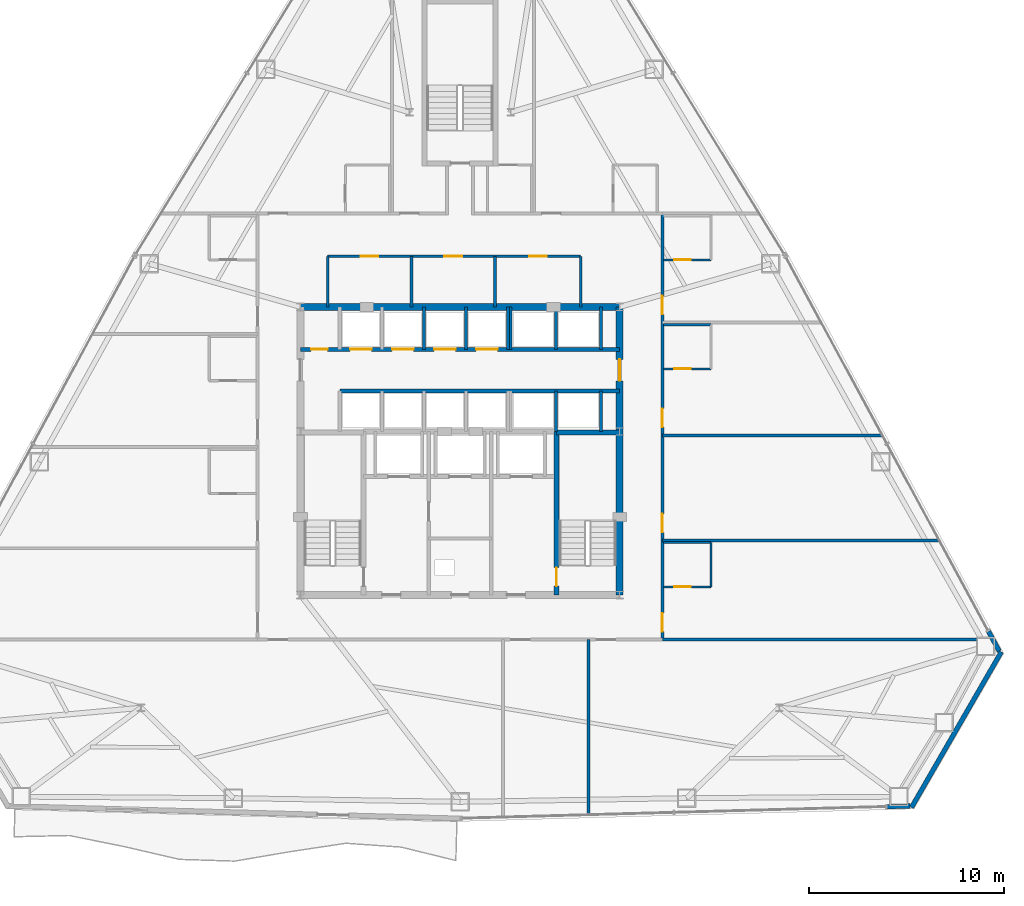
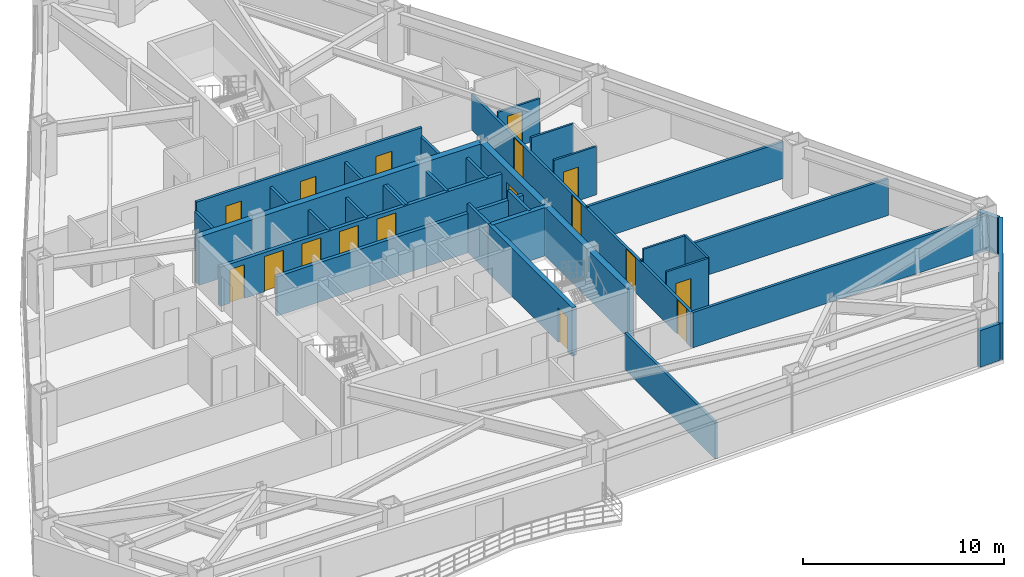
# One storey, part 10 of 13: 33 walls, 17 doors, 17 openings.
"""IFC4 building model written with IfcOpenShell, lengths in metres."""

from ifc_helpers import new_model, si_unit, direction, frame, frame_2d, origin, place, context, subcontext, project, spatial, rectangle, extrude, material, layer, layer_set, type_object, element, fill, save


model = new_model("IFC4")

# Units and contexts
model_context = context("Model", 3, precision=1e-05, world=origin(), true_north=direction((0.0, 1.0)))
body_context = subcontext(model_context, "Body", "Model", "MODEL_VIEW")
ifc_project = project(units=[si_unit("LENGTHUNIT", "METRE"), si_unit("AREAUNIT", "SQUARE_METRE"), si_unit("VOLUMEUNIT", "CUBIC_METRE"), si_unit("PLANEANGLEUNIT", "RADIAN"), si_unit("MASSUNIT", "GRAM", prefix="KILO")], contexts=[model_context])

# Site, building, storey
site_placement = place(None, origin())
site = spatial("IfcSite", under=ifc_project, at=site_placement, CompositionType="ELEMENT")
building_placement = place(site_placement, origin())
building = spatial("IfcBuilding", under=site, at=building_placement, Name="Varakhsha Concourse Tower", CompositionType="ELEMENT")
storey_placement = place(building_placement, frame((0.0, 0.0, 108.60009765625)))
storey = spatial("IfcBuildingStorey", under=building, at=storey_placement, Name="L31", CompositionType="ELEMENT", Elevation=108.60009765625)

# Wall
ifc_material_1 = material(Name="Concrete fc 65 MPa", Category="concrete")
ifc_layer_1 = layer(ifc_material_1, 0.35009765625, Name="WL-CORE-350")
ifc_layer_set_1 = layer_set([ifc_layer_1], Name="Concrete fc 65 MPa")
wall_type_1 = type_object("IfcWallType", Name="WL-CORE-350", PredefinedType="SHEAR", material=ifc_layer_set_1)
wall_1_placement = place(storey_placement, frame((31.800048828125, 31.199951171875, 0.0), z_axis=(0.0, 0.0, 1.0), x_axis=(1.0, 0.0, 0.0)))
element("IfcWall", 1, at=wall_1_placement, inside=storey, type_object=wall_type_1, Name="L31 Wall CWALL-N-L31", PredefinedType="SHEAR", context=body_context, shape_type="SweptSolid", body=[
    extrude(rectangle(XDim=16.39990234375, YDim=0.35009765625, at=frame_2d((8.199951171875, 0.0))), origin(), (0.0, 0.0, 1.0), 2.93994140625),
])

# Wall, opening, door
wall_2_placement = place(storey_placement, frame((48.199951171875, 16.39990234375, 0.0), z_axis=(0.0, 0.0, 1.0), x_axis=(0.0, 1.0, 0.0)))
wall_2 = element("IfcWall", 2, at=wall_2_placement, inside=storey, type_object=wall_type_1, Name="L31 Wall CWALL-E-L31", PredefinedType="SHEAR", context=body_context, shape_type="SweptSolid", body=[
    extrude(rectangle(XDim=14.800048828125, YDim=0.35009765625, at=frame_2d((7.39990234375, 0.0))), origin(), (0.0, 0.0, 1.0), 2.93994140625),
])
opening_1_placement = place(wall_2_placement, frame((11.0, 0.0, 0.0)))
opening_1 = element("IfcOpeningElement", 3, at=opening_1_placement, cuts=wall_2, Name="Opening DL-01", PredefinedType="OPENING", context=body_context, shape_type="SweptSolid", body=[
    extrude(rectangle(XDim=1.10009765625, YDim=2.14990234375, at=frame_2d((0.550048828125, 1.074951171875))), frame((0.0, 0.18505859375, 0.0), z_axis=(0.0, -1.0, 0.0), x_axis=(1.0, 0.0, 0.0)), (0.0, 0.0, 1.0), 0.3701171875),
])
ifc_material_2 = material(Name="Anodised Bronze Architectural Aluminium AA 6063-T6", Category="aluminium")
door_type_1 = type_object("IfcDoorType", Name="DR-LOB-1100", OperationType="NOTDEFINED", PredefinedType="DOOR", material=ifc_material_2)
door_1_placement = place(opening_1_placement, origin())
door_1 = element("IfcDoor", 4, at=door_1_placement, inside=storey, type_object=door_type_1, Name="L31 Lift Lobby East Concourse Door", OperationType="SINGLE_SWING_RIGHT", OverallHeight=2.14990234375, OverallWidth=1.10009765625, PredefinedType="DOOR", context=body_context, shape_type="SweptSolid", body=[
    extrude(rectangle(XDim=1.10009765625, YDim=2.14990234375, at=frame_2d((0.550048828125, 1.074951171875))), frame((0.0, 0.02490234375, 0.0), z_axis=(0.0, -1.0, 0.0), x_axis=(1.0, 0.0, 0.0)), (0.0, 0.0, 1.0), 0.050048828125),
])
fill(opening_1, door_1)

# Walls
ifc_material_3 = material(Name="Concrete fc 45 MPa", Category="concrete")
ifc_layer_2 = layer(ifc_material_3, 0.239990234375, Name="WL-EXT-CRN-240")
ifc_layer_set_2 = layer_set([ifc_layer_2], Name="Concrete fc 45 MPa")
wall_type_2 = type_object("IfcWallType", Name="WL-EXT-CRN-240", PredefinedType="SHEAR", material=ifc_layer_set_2)
wall_3_placement = place(storey_placement, frame((61.94775390625, 5.521728515625, 0.0), z_axis=(0.0, 0.0, 1.0), x_axis=(0.99961555346, 0.027726256158, 0.0)))
element("IfcWall", 5, at=wall_3_placement, inside=storey, type_object=wall_type_2, Name="L31 Wind-Corner Shoulder Wall F6", PredefinedType="SHEAR", context=body_context, shape_type="SweptSolid", body=[
    extrude(rectangle(XDim=1.162353515625, YDim=0.239990234375, at=frame_2d((0.5810546875, 0.0))), origin(), (0.0, 0.0, 1.0), 2.222900390625),
])
wall_4_placement = place(storey_placement, frame((67.809814453125, 13.47216796875, 0.0), z_axis=(0.0, 0.0, 1.0), x_axis=(-0.500017094579, -0.866015534, 0.0)))
element("IfcWall", 6, at=wall_4_placement, inside=storey, type_object=wall_type_2, Name="L31 Chamfer Wind-Corner Insulated Wall F7", PredefinedType="SHEAR", context=body_context, shape_type="SweptSolid", body=[
    extrude(rectangle(XDim=9.228759765625, YDim=0.239990234375, at=frame_2d((4.6142578125, 0.0))), origin(), (0.0, 0.0, 1.0), 2.222900390625),
])
wall_5_placement = place(storey_placement, frame((67.702880859375, 13.509521484375, 0.0), z_axis=(0.0, 0.0, 1.0), x_axis=(-0.475877177097, 0.879511746549, 0.0)))
element("IfcWall", 7, at=wall_5_placement, inside=storey, type_object=wall_type_2, Name="L31 Wind-Corner Shoulder Wall F8", PredefinedType="SHEAR", context=body_context, shape_type="SweptSolid", body=[
    extrude(rectangle(XDim=1.16259765625, YDim=0.239990234375, at=frame_2d((0.581298828125, 0.0))), origin(), (0.0, 0.0, 1.0), 2.222900390625),
])
ifc_material_4 = material(Name="Acoustic Gypsum Board Partition Assembly", Category="gypsum")
ifc_layer_3 = layer(ifc_material_4, 0.1201171875, Name="WL-PART-120")
ifc_layer_set_3 = layer_set([ifc_layer_3], Name="Acoustic Gypsum Board Partition Assembly")
wall_type_3 = type_object("IfcWallType", Name="WL-PART-120", PredefinedType="PARTITIONING", material=ifc_layer_set_3)
wall_6_placement = place(storey_placement, frame((52.889892578125, 16.81005859375, 0.0), z_axis=(0.0, 0.0, 1.0), x_axis=(0.0, 1.0, 0.0)))
element("IfcWall", 8, at=wall_6_placement, inside=storey, type_object=wall_type_3, Name="L31 Wall ENSW-E-L31-H08", PredefinedType="PARTITIONING", context=body_context, shape_type="SweptSolid", body=[
    extrude(rectangle(XDim=2.280029296875, YDim=0.1201171875, at=frame_2d((1.14013671875, 0.0))), origin(), (0.0, 0.0, 1.0), 2.93994140625),
])

# Wall, opening, door
wall_7_placement = place(storey_placement, frame((50.4599609375, 16.81005859375, 0.0), z_axis=(0.0, 0.0, 1.0), x_axis=(1.0, 0.0, 0.0)))
wall_7 = element("IfcWall", 9, at=wall_7_placement, inside=storey, type_object=wall_type_3, Name="L31 Wall ENSW-S-L31-H08", PredefinedType="PARTITIONING", context=body_context, shape_type="SweptSolid", body=[
    extrude(rectangle(XDim=2.429931640625, YDim=0.1201171875, at=frame_2d((1.21484375, 0.0))), origin(), (0.0, 0.0, 1.0), 2.93994140625),
])
opening_2_placement = place(wall_7_placement, frame((0.550048828125, 0.0, 0.0)))
opening_2 = element("IfcOpeningElement", 10, at=opening_2_placement, cuts=wall_7, Name="Opening DI-01", PredefinedType="OPENING", context=body_context, shape_type="SweptSolid", body=[
    extrude(rectangle(XDim=0.85009765625, YDim=2.050048828125, at=frame_2d((0.425048828125, 1.02490234375))), frame((0.0, 0.070068359375, 0.0), z_axis=(0.0, -1.0, 0.0), x_axis=(1.0, 0.0, 0.0)), (0.0, 0.0, 1.0), 0.14013671875),
])
ifc_material_5 = material(Name="Architectural Walnut Acoustic Timber Door", Category="wood")
door_type_2 = type_object("IfcDoorType", Name="DR-INT-850", OperationType="NOTDEFINED", PredefinedType="DOOR", material=ifc_material_5)
door_2_placement = place(opening_2_placement, origin())
door_2 = element("IfcDoor", 11, at=door_2_placement, inside=storey, type_object=door_type_2, Name="L31 En-suite Bathroom Door L31-H08", OperationType="SINGLE_SWING_RIGHT", OverallHeight=2.050048828125, OverallWidth=0.85009765625, PredefinedType="DOOR", context=body_context, shape_type="SweptSolid", body=[
    extrude(rectangle(XDim=0.85009765625, YDim=2.050048828125, at=frame_2d((0.425048828125, 1.02490234375))), frame((0.0, 0.02490234375, 0.0), z_axis=(0.0, -1.0, 0.0), x_axis=(1.0, 0.0, 0.0)), (0.0, 0.0, 1.0), 0.050048828125),
])
fill(opening_2, door_2)

# Wall
wall_8_placement = place(storey_placement, frame((50.4599609375, 19.090087890625, 0.0), z_axis=(0.0, 0.0, 1.0), x_axis=(1.0, 0.0, 0.0)))
element("IfcWall", 12, at=wall_8_placement, inside=storey, type_object=wall_type_3, Name="L31 Wall ENSW-N-L31-H08", PredefinedType="PARTITIONING", context=body_context, shape_type="SweptSolid", body=[
    extrude(rectangle(XDim=2.429931640625, YDim=0.1201171875, at=frame_2d((1.21484375, 0.0))), origin(), (0.0, 0.0, 1.0), 2.93994140625),
])

# Wall, opening, door
wall_9_placement = place(storey_placement, frame((50.4599609375, 28.010009765625, 0.0), z_axis=(0.0, 0.0, 1.0), x_axis=(1.0, 0.0, 0.0)))
wall_9 = element("IfcWall", 13, at=wall_9_placement, inside=storey, type_object=wall_type_3, Name="L31 Wall ENSW-S-L31-H10", PredefinedType="PARTITIONING", context=body_context, shape_type="SweptSolid", body=[
    extrude(rectangle(XDim=2.429931640625, YDim=0.1201171875, at=frame_2d((1.21484375, 0.0))), origin(), (0.0, 0.0, 1.0), 2.93994140625),
])
opening_3_placement = place(wall_9_placement, frame((0.550048828125, 0.0, 0.0)))
opening_3 = element("IfcOpeningElement", 14, at=opening_3_placement, cuts=wall_9, Name="Opening DI-01", PredefinedType="OPENING", context=body_context, shape_type="SweptSolid", body=[
    extrude(rectangle(XDim=0.85009765625, YDim=2.050048828125, at=frame_2d((0.425048828125, 1.02490234375))), frame((0.0, 0.070068359375, 0.0), z_axis=(0.0, -1.0, 0.0), x_axis=(1.0, 0.0, 0.0)), (0.0, 0.0, 1.0), 0.14013671875),
])
door_3_placement = place(opening_3_placement, origin())
door_3 = element("IfcDoor", 15, at=door_3_placement, inside=storey, type_object=door_type_2, Name="L31 En-suite Bathroom Door L31-H10", OperationType="SINGLE_SWING_RIGHT", OverallHeight=2.050048828125, OverallWidth=0.85009765625, PredefinedType="DOOR", context=body_context, shape_type="SweptSolid", body=[
    extrude(rectangle(XDim=0.85009765625, YDim=2.050048828125, at=frame_2d((0.425048828125, 1.02490234375))), frame((0.0, 0.02490234375, 0.0), z_axis=(0.0, -1.0, 0.0), x_axis=(1.0, 0.0, 0.0)), (0.0, 0.0, 1.0), 0.050048828125),
])
fill(opening_3, door_3)

# Wall
wall_10_placement = place(storey_placement, frame((50.4599609375, 30.2900390625, 0.0), z_axis=(0.0, 0.0, 1.0), x_axis=(1.0, 0.0, 0.0)))
element("IfcWall", 16, at=wall_10_placement, inside=storey, type_object=wall_type_3, Name="L31 Wall ENSW-N-L31-H10", PredefinedType="PARTITIONING", context=body_context, shape_type="SweptSolid", body=[
    extrude(rectangle(XDim=2.429931640625, YDim=0.1201171875, at=frame_2d((1.21484375, 0.0))), origin(), (0.0, 0.0, 1.0), 2.93994140625),
])

# Wall, opening, door
wall_11_placement = place(storey_placement, frame((50.4599609375, 33.610107421875, 0.0), z_axis=(0.0, 0.0, 1.0), x_axis=(1.0, 0.0, 0.0)))
wall_11 = element("IfcWall", 17, at=wall_11_placement, inside=storey, type_object=wall_type_3, Name="L31 Wall ENSW-S-L31-H11", PredefinedType="PARTITIONING", context=body_context, shape_type="SweptSolid", body=[
    extrude(rectangle(XDim=2.429931640625, YDim=0.1201171875, at=frame_2d((1.21484375, 0.0))), origin(), (0.0, 0.0, 1.0), 2.472900390625),
])
opening_4_placement = place(wall_11_placement, frame((0.550048828125, 0.0, 0.0)))
opening_4 = element("IfcOpeningElement", 18, at=opening_4_placement, cuts=wall_11, Name="Opening DI-01", PredefinedType="OPENING", context=body_context, shape_type="SweptSolid", body=[
    extrude(rectangle(XDim=0.85009765625, YDim=2.050048828125, at=frame_2d((0.425048828125, 1.02490234375))), frame((0.0, 0.070068359375, 0.0), z_axis=(0.0, -1.0, 0.0), x_axis=(1.0, 0.0, 0.0)), (0.0, 0.0, 1.0), 0.14013671875),
])
door_4_placement = place(opening_4_placement, origin())
door_4 = element("IfcDoor", 19, at=door_4_placement, inside=storey, type_object=door_type_2, Name="L31 En-suite Bathroom Door L31-H11", OperationType="SINGLE_SWING_RIGHT", OverallHeight=2.050048828125, OverallWidth=0.85009765625, PredefinedType="DOOR", context=body_context, shape_type="SweptSolid", body=[
    extrude(rectangle(XDim=0.85009765625, YDim=2.050048828125, at=frame_2d((0.425048828125, 1.02490234375))), frame((0.0, 0.02490234375, 0.0), z_axis=(0.0, -1.0, 0.0), x_axis=(1.0, 0.0, 0.0)), (0.0, 0.0, 1.0), 0.050048828125),
])
fill(opening_4, door_4)

# Wall, openings, doors
ifc_material_6 = material(Name="Fire-Rated Type X Gypsum Partition Assembly", Category="gypsum")
ifc_layer_4 = layer(ifc_material_6, 0.14990234375, Name="WL-PART-150")
ifc_layer_set_4 = layer_set([ifc_layer_4], Name="Fire-Rated Type X Gypsum Partition Assembly")
wall_type_4 = type_object("IfcWallType", Name="WL-PART-150", PredefinedType="PARTITIONING", material=ifc_layer_set_4)
wall_12_placement = place(storey_placement, frame((33.199951171875, 33.800048828125, 0.0), z_axis=(0.0, 0.0, 1.0), x_axis=(1.0, 0.0, 0.0)))
wall_12 = element("IfcWall", 20, at=wall_12_placement, inside=storey, type_object=wall_type_4, Name="L31 Wall NBOH-N-L31", PredefinedType="PARTITIONING", context=body_context, shape_type="SweptSolid", body=[
    extrude(rectangle(XDim=13.0, YDim=0.14990234375, at=frame_2d((6.5, 0.0))), origin(), (0.0, 0.0, 1.0), 2.93994140625),
])
opening_5_placement = place(wall_12_placement, frame((1.699951171875, 0.0, 0.0)))
opening_5 = element("IfcOpeningElement", 21, at=opening_5_placement, cuts=wall_12, Name="Opening DF-06", PredefinedType="OPENING", context=body_context, shape_type="SweptSolid", body=[
    extrude(rectangle(XDim=0.89990234375, YDim=2.10009765625, at=frame_2d((0.449951171875, 1.050048828125))), frame((0.0, 0.0849609375, 0.0), z_axis=(0.0, -1.0, 0.0), x_axis=(1.0, 0.0, 0.0)), (0.0, 0.0, 1.0), 0.169921875),
])
opening_6_placement = place(wall_12_placement, frame((6.0, 0.0, 0.0)))
opening_6 = element("IfcOpeningElement", 22, at=opening_6_placement, cuts=wall_12, Name="Opening DF-06", PredefinedType="OPENING", context=body_context, shape_type="SweptSolid", body=[
    extrude(rectangle(XDim=0.89990234375, YDim=2.10009765625, at=frame_2d((0.449951171875, 1.050048828125))), frame((0.0, 0.0849609375, 0.0), z_axis=(0.0, -1.0, 0.0), x_axis=(1.0, 0.0, 0.0)), (0.0, 0.0, 1.0), 0.169921875),
])
opening_7_placement = place(wall_12_placement, frame((10.35009765625, 0.0, 0.0)))
opening_7 = element("IfcOpeningElement", 23, at=opening_7_placement, cuts=wall_12, Name="Opening DF-06", PredefinedType="OPENING", context=body_context, shape_type="SweptSolid", body=[
    extrude(rectangle(XDim=0.89990234375, YDim=2.10009765625, at=frame_2d((0.449951171875, 1.050048828125))), frame((0.0, 0.0849609375, 0.0), z_axis=(0.0, -1.0, 0.0), x_axis=(1.0, 0.0, 0.0)), (0.0, 0.0, 1.0), 0.169921875),
])
ifc_material_7 = material(Name="Hollow Galvanised Steel Fire Door Assembly", Category="steel")
door_type_3 = type_object("IfcDoorType", Name="DR-FD60-900", OperationType="NOTDEFINED", PredefinedType="DOOR", material=ifc_material_7)
door_5_placement = place(opening_5_placement, origin())
door_5 = element("IfcDoor", 24, at=door_5_placement, inside=storey, type_object=door_type_3, Name="L31 Housekeeping and Linen Room Door", OperationType="SINGLE_SWING_LEFT", OverallHeight=2.10009765625, OverallWidth=0.89990234375, PredefinedType="DOOR", context=body_context, shape_type="SweptSolid", body=[
    extrude(rectangle(XDim=0.89990234375, YDim=2.10009765625, at=frame_2d((0.449951171875, 1.050048828125))), frame((0.0, 0.02490234375, 0.0), z_axis=(0.0, -1.0, 0.0), x_axis=(1.0, 0.0, 0.0)), (0.0, 0.0, 1.0), 0.050048828125),
])
fill(opening_5, door_5)
door_6_placement = place(opening_6_placement, origin())
door_6 = element("IfcDoor", 25, at=door_6_placement, inside=storey, type_object=door_type_3, Name="L31 Accessible WC Door", OperationType="SINGLE_SWING_RIGHT", OverallHeight=2.10009765625, OverallWidth=0.89990234375, PredefinedType="DOOR", context=body_context, shape_type="SweptSolid", body=[
    extrude(rectangle(XDim=0.89990234375, YDim=2.10009765625, at=frame_2d((0.449951171875, 1.050048828125))), frame((0.0, 0.02490234375, 0.0), z_axis=(0.0, -1.0, 0.0), x_axis=(1.0, 0.0, 0.0)), (0.0, 0.0, 1.0), 0.050048828125),
])
fill(opening_6, door_6)
door_7_placement = place(opening_7_placement, origin())
door_7 = element("IfcDoor", 26, at=door_7_placement, inside=storey, type_object=door_type_3, Name="L31 Staff Restroom WC Door", OperationType="SINGLE_SWING_LEFT", OverallHeight=2.10009765625, OverallWidth=0.89990234375, PredefinedType="DOOR", context=body_context, shape_type="SweptSolid", body=[
    extrude(rectangle(XDim=0.89990234375, YDim=2.10009765625, at=frame_2d((0.449951171875, 1.050048828125))), frame((0.0, 0.02490234375, 0.0), z_axis=(0.0, -1.0, 0.0), x_axis=(1.0, 0.0, 0.0)), (0.0, 0.0, 1.0), 0.050048828125),
])
fill(opening_7, door_7)

# Walls
for number, where, z_axis, x_axis, name in (
    (27, (33.199951171875, 31.199951171875, 0.0), (0.0, 0.0, 1.0), (0.0, 1.0, 0.0), "L31 Wall NBOH-W-L31"),
    (28, (46.199951171875, 31.199951171875, 0.0), (0.0, 0.0, 1.0), (0.0, 1.0, 0.0), "L31 Wall NBOH-E-L31"),
    (29, (37.5, 31.199951171875, 0.0), (0.0, 0.0, 1.0), (0.0, 1.0, 0.0), "L31 Wall NBOH-D1-L31"),
    (30, (41.800048828125, 31.199951171875, 0.0), (0.0, 0.0, 1.0), (0.0, 1.0, 0.0), "L31 Wall NBOH-D2-L31"),
):
    element("IfcWall", number, at=place(storey_placement, frame(where, z_axis=z_axis, x_axis=x_axis)), inside=storey, type_object=wall_type_4, Name=name, PredefinedType="PARTITIONING", context=body_context, shape_type="SweptSolid", body=[
        extrude(rectangle(XDim=2.60009765625, YDim=0.14990234375, at=frame_2d((1.300048828125, 0.0))), origin(), (0.0, 0.0, 1.0), 2.390869140625),
    ])

# Wall, openings, doors
wall_13_placement = place(storey_placement, frame((50.39990234375, 14.10009765625, 0.0), z_axis=(0.0, 0.0, 1.0), x_axis=(0.0, 1.0, 0.0)))
wall_13 = element("IfcWall", 31, at=wall_13_placement, inside=storey, type_object=wall_type_4, Name="L31 Wall CRW-E-L31", PredefinedType="PARTITIONING", context=body_context, shape_type="SweptSolid", body=[
    extrude(rectangle(XDim=21.89990234375, YDim=0.14990234375, at=frame_2d((10.949951171875, 0.0))), origin(), (0.0, 0.0, 1.0), 2.15087890625),
])
opening_8_placement = place(wall_13_placement, frame((0.419921875, 0.0, 0.0)))
opening_8 = element("IfcOpeningElement", 32, at=opening_8_placement, cuts=wall_13, Name="Opening DF-05", PredefinedType="OPENING", context=body_context, shape_type="SweptSolid", body=[
    extrude(rectangle(XDim=0.949951171875, YDim=2.10009765625, at=frame_2d((0.47509765625, 1.050048828125))), frame((0.0, 0.0849609375, 0.0), z_axis=(0.0, -1.0, 0.0), x_axis=(1.0, 0.0, 0.0)), (0.0, 0.0, 1.0), 0.169921875),
])
opening_9_placement = place(wall_13_placement, frame((5.52001953125, 0.0, 0.0)))
opening_9 = element("IfcOpeningElement", 33, at=opening_9_placement, cuts=wall_13, Name="Opening DF-05", PredefinedType="OPENING", context=body_context, shape_type="SweptSolid", body=[
    extrude(rectangle(XDim=0.949951171875, YDim=2.10009765625, at=frame_2d((0.47509765625, 1.050048828125))), frame((0.0, 0.0849609375, 0.0), z_axis=(0.0, -1.0, 0.0), x_axis=(1.0, 0.0, 0.0)), (0.0, 0.0, 1.0), 0.169921875),
])
opening_10_placement = place(wall_13_placement, frame((10.919921875, 0.0, 0.0)))
opening_10 = element("IfcOpeningElement", 34, at=opening_10_placement, cuts=wall_13, Name="Opening DF-05", PredefinedType="OPENING", context=body_context, shape_type="SweptSolid", body=[
    extrude(rectangle(XDim=0.949951171875, YDim=2.10009765625, at=frame_2d((0.47509765625, 1.050048828125))), frame((0.0, 0.0849609375, 0.0), z_axis=(0.0, -1.0, 0.0), x_axis=(1.0, 0.0, 0.0)), (0.0, 0.0, 1.0), 0.169921875),
])
opening_11_placement = place(wall_13_placement, frame((16.719970703125, 0.0, 0.0)))
opening_11 = element("IfcOpeningElement", 35, at=opening_11_placement, cuts=wall_13, Name="Opening DF-05", PredefinedType="OPENING", context=body_context, shape_type="SweptSolid", body=[
    extrude(rectangle(XDim=0.949951171875, YDim=2.10009765625, at=frame_2d((0.47509765625, 1.050048828125))), frame((0.0, 0.0849609375, 0.0), z_axis=(0.0, -1.0, 0.0), x_axis=(1.0, 0.0, 0.0)), (0.0, 0.0, 1.0), 0.169921875),
])
door_type_4 = type_object("IfcDoorType", Name="DR-FD60-950", OperationType="NOTDEFINED", PredefinedType="DOOR", material=ifc_material_7)
door_8_placement = place(opening_8_placement, origin())
door_8 = element("IfcDoor", 36, at=door_8_placement, inside=storey, type_object=door_type_4, Name="L31 Hotel Corner Suite L31-H08 Entry Door", OperationType="SINGLE_SWING_RIGHT", OverallHeight=2.10009765625, OverallWidth=0.949951171875, PredefinedType="DOOR", context=body_context, shape_type="SweptSolid", body=[
    extrude(rectangle(XDim=0.949951171875, YDim=2.10009765625, at=frame_2d((0.47509765625, 1.050048828125))), frame((0.0, 0.02490234375, 0.0), z_axis=(0.0, -1.0, 0.0), x_axis=(1.0, 0.0, 0.0)), (0.0, 0.0, 1.0), 0.050048828125),
])
fill(opening_8, door_8)
door_9_placement = place(opening_9_placement, origin())
door_9 = element("IfcDoor", 37, at=door_9_placement, inside=storey, type_object=door_type_4, Name="L31 Sky-Loggia Reading Lounge L31-H09 Door", OperationType="SINGLE_SWING_LEFT", OverallHeight=2.10009765625, OverallWidth=0.949951171875, PredefinedType="DOOR", context=body_context, shape_type="SweptSolid", body=[
    extrude(rectangle(XDim=0.949951171875, YDim=2.10009765625, at=frame_2d((0.47509765625, 1.050048828125))), frame((0.0, 0.02490234375, 0.0), z_axis=(0.0, -1.0, 0.0), x_axis=(1.0, 0.0, 0.0)), (0.0, 0.0, 1.0), 0.050048828125),
])
fill(opening_9, door_9)
door_10_placement = place(opening_10_placement, origin())
door_10 = element("IfcDoor", 38, at=door_10_placement, inside=storey, type_object=door_type_4, Name="L31 Hotel Corner Suite L31-H10 Entry Door", OperationType="SINGLE_SWING_RIGHT", OverallHeight=2.10009765625, OverallWidth=0.949951171875, PredefinedType="DOOR", context=body_context, shape_type="SweptSolid", body=[
    extrude(rectangle(XDim=0.949951171875, YDim=2.10009765625, at=frame_2d((0.47509765625, 1.050048828125))), frame((0.0, 0.02490234375, 0.0), z_axis=(0.0, -1.0, 0.0), x_axis=(1.0, 0.0, 0.0)), (0.0, 0.0, 1.0), 0.050048828125),
])
fill(opening_10, door_10)
door_11_placement = place(opening_11_placement, origin())
door_11 = element("IfcDoor", 39, at=door_11_placement, inside=storey, type_object=door_type_4, Name="L31 Hotel Guest Room L31-H11 Entry Door", OperationType="SINGLE_SWING_LEFT", OverallHeight=2.10009765625, OverallWidth=0.949951171875, PredefinedType="DOOR", context=body_context, shape_type="SweptSolid", body=[
    extrude(rectangle(XDim=0.949951171875, YDim=2.10009765625, at=frame_2d((0.47509765625, 1.050048828125))), frame((0.0, 0.02490234375, 0.0), z_axis=(0.0, -1.0, 0.0), x_axis=(1.0, 0.0, 0.0)), (0.0, 0.0, 1.0), 0.050048828125),
])
fill(opening_11, door_11)

# Walls
wall_14_placement = place(storey_placement, frame((46.60009765625, 5.10400390625, 0.0), z_axis=(0.0, 0.0, 1.0), x_axis=(0.0, 1.0, 0.0)))
element("IfcWall", 40, at=wall_14_placement, inside=storey, type_object=wall_type_4, Name="L31 Wall HDIV-S2-L31", PredefinedType="PARTITIONING", context=body_context, shape_type="SweptSolid", body=[
    extrude(rectangle(XDim=8.99609375, YDim=0.14990234375, at=frame_2d((4.498046875, 0.0))), origin(), (0.0, 0.0, 1.0), 2.227783203125),
])
wall_15_placement = place(storey_placement, frame((50.39990234375, 14.10009765625, 0.0), z_axis=(0.0, 0.0, 1.0), x_axis=(1.0, 0.0, 0.0)))
element("IfcWall", 41, at=wall_15_placement, inside=storey, type_object=wall_type_4, Name="L31 Wall HDIV-EB0-L31", PredefinedType="PARTITIONING", context=body_context, shape_type="SweptSolid", body=[
    extrude(rectangle(XDim=16.977783203125, YDim=0.14990234375, at=frame_2d((8.48876953125, 0.0))), origin(), (0.0, 0.0, 1.0), 2.15087890625),
])
wall_16_placement = place(storey_placement, frame((50.39990234375, 19.199951171875, 0.0), z_axis=(0.0, 0.0, 1.0), x_axis=(1.0, 0.0, 0.0)))
element("IfcWall", 42, at=wall_16_placement, inside=storey, type_object=wall_type_4, Name="L31 Wall HDIV-E1-L31", PredefinedType="PARTITIONING", context=body_context, shape_type="SweptSolid", body=[
    extrude(rectangle(XDim=14.2177734375, YDim=0.14990234375, at=frame_2d((7.10888671875, 0.0))), origin(), (0.0, 0.0, 1.0), 2.227783203125),
])
wall_17_placement = place(storey_placement, frame((50.39990234375, 24.60009765625, 0.0), z_axis=(0.0, 0.0, 1.0), x_axis=(1.0, 0.0, 0.0)))
element("IfcWall", 43, at=wall_17_placement, inside=storey, type_object=wall_type_4, Name="L31 Wall HDIV-E2-L31", PredefinedType="PARTITIONING", context=body_context, shape_type="SweptSolid", body=[
    extrude(rectangle(XDim=11.29541015625, YDim=0.14990234375, at=frame_2d((5.647705078125, 0.0))), origin(), (0.0, 0.0, 1.0), 2.227783203125),
])

# Wall, openings, doors
ifc_layer_5 = layer(ifc_material_6, 0.199951171875, Name="WL-SHAFT-220")
ifc_layer_set_5 = layer_set([ifc_layer_5], Name="Fire-Rated Type X Gypsum Partition Assembly")
wall_type_5 = type_object("IfcWallType", Name="WL-SHAFT-220", PredefinedType="SOLIDWALL", material=ifc_layer_set_5)
wall_18_placement = place(storey_placement, frame((31.800048828125, 29.02001953125, 0.0), z_axis=(0.0, 0.0, 1.0), x_axis=(1.0, 0.0, 0.0)))
wall_18 = element("IfcWall", 44, at=wall_18_placement, inside=storey, type_object=wall_type_5, Name="L31 Wall PLW-N-L31", PredefinedType="SOLIDWALL", context=body_context, shape_type="SweptSolid", body=[
    extrude(rectangle(XDim=16.39990234375, YDim=0.199951171875, at=frame_2d((8.199951171875, 0.0))), origin(), (0.0, 0.0, 1.0), 2.390869140625),
])
opening_12_placement = place(wall_18_placement, frame((0.550048828125, 0.0, 0.0)))
opening_12 = element("IfcOpeningElement", 45, at=opening_12_placement, cuts=wall_18, Name="Opening DF-07", PredefinedType="OPENING", context=body_context, shape_type="SweptSolid", body=[
    extrude(rectangle(XDim=0.85009765625, YDim=2.050048828125, at=frame_2d((0.425048828125, 1.02490234375))), frame((0.0, 0.10986328125, 0.0), z_axis=(0.0, -1.0, 0.0), x_axis=(1.0, 0.0, 0.0)), (0.0, 0.0, 1.0), 0.219970703125),
])
opening_13_placement = place(wall_18_placement, frame((2.550048828125, 0.0, 0.0)))
opening_13 = element("IfcOpeningElement", 46, at=opening_13_placement, cuts=wall_18, Name="Opening LD-LF-P01", PredefinedType="OPENING", context=body_context, shape_type="SweptSolid", body=[
    extrude(rectangle(XDim=1.10009765625, YDim=2.14990234375, at=frame_2d((0.550048828125, 1.074951171875))), frame((0.0, 0.10986328125, 0.0), z_axis=(0.0, -1.0, 0.0), x_axis=(1.0, 0.0, 0.0)), (0.0, 0.0, 1.0), 0.219970703125),
])
opening_14_placement = place(wall_18_placement, frame((4.7099609375, 0.0, 0.0)))
opening_14 = element("IfcOpeningElement", 47, at=opening_14_placement, cuts=wall_18, Name="Opening LD-LF-P02", PredefinedType="OPENING", context=body_context, shape_type="SweptSolid", body=[
    extrude(rectangle(XDim=1.10009765625, YDim=2.14990234375, at=frame_2d((0.550048828125, 1.074951171875))), frame((0.0, 0.10986328125, 0.0), z_axis=(0.0, -1.0, 0.0), x_axis=(1.0, 0.0, 0.0)), (0.0, 0.0, 1.0), 0.219970703125),
])
opening_15_placement = place(wall_18_placement, frame((6.8701171875, 0.0, 0.0)))
opening_15 = element("IfcOpeningElement", 48, at=opening_15_placement, cuts=wall_18, Name="Opening LD-LF-P03", PredefinedType="OPENING", context=body_context, shape_type="SweptSolid", body=[
    extrude(rectangle(XDim=1.10009765625, YDim=2.14990234375, at=frame_2d((0.550048828125, 1.074951171875))), frame((0.0, 0.10986328125, 0.0), z_axis=(0.0, -1.0, 0.0), x_axis=(1.0, 0.0, 0.0)), (0.0, 0.0, 1.0), 0.219970703125),
])
opening_16_placement = place(wall_18_placement, frame((9.030029296875, 0.0, 0.0)))
opening_16 = element("IfcOpeningElement", 49, at=opening_16_placement, cuts=wall_18, Name="Opening LD-LF-P04", PredefinedType="OPENING", context=body_context, shape_type="SweptSolid", body=[
    extrude(rectangle(XDim=1.10009765625, YDim=2.14990234375, at=frame_2d((0.550048828125, 1.074951171875))), frame((0.0, 0.10986328125, 0.0), z_axis=(0.0, -1.0, 0.0), x_axis=(1.0, 0.0, 0.0)), (0.0, 0.0, 1.0), 0.219970703125),
])
door_type_5 = type_object("IfcDoorType", Name="DR-FD60-850", OperationType="NOTDEFINED", PredefinedType="DOOR", material=ifc_material_7)
door_12_placement = place(opening_12_placement, origin())
door_12 = element("IfcDoor", 50, at=door_12_placement, inside=storey, type_object=door_type_5, Name="L31 Core Janitor Closet Door", OperationType="SINGLE_SWING_LEFT", OverallHeight=2.050048828125, OverallWidth=0.85009765625, PredefinedType="DOOR", context=body_context, shape_type="SweptSolid", body=[
    extrude(rectangle(XDim=0.85009765625, YDim=2.050048828125, at=frame_2d((0.425048828125, 1.02490234375))), frame((0.0, 0.02490234375, 0.0), z_axis=(0.0, -1.0, 0.0), x_axis=(1.0, 0.0, 0.0)), (0.0, 0.0, 1.0), 0.050048828125),
])
fill(opening_12, door_12)
ifc_material_8 = material(Name="Brushed Austenitic Stainless Steel AISI 316", Category="steel")
door_type_6 = type_object("IfcDoorType", Name="DR-LD-1100", OperationType="DOUBLE_DOOR_SLIDING", PredefinedType="DOOR", material=ifc_material_8)
door_13_placement = place(opening_13_placement, origin())
door_13 = element("IfcDoor", 51, at=door_13_placement, inside=storey, type_object=door_type_6, Name="Lift Landing Door LF-P01 L31", OperationType="DOUBLE_DOOR_SLIDING", OverallHeight=2.14990234375, OverallWidth=1.10009765625, PredefinedType="DOOR", context=body_context, shape_type="SweptSolid", body=[
    extrude(rectangle(XDim=1.10009765625, YDim=2.14990234375, at=frame_2d((0.550048828125, 1.074951171875))), frame((0.0, 0.02490234375, 0.0), z_axis=(0.0, -1.0, 0.0), x_axis=(1.0, 0.0, 0.0)), (0.0, 0.0, 1.0), 0.050048828125),
])
fill(opening_13, door_13)
door_14_placement = place(opening_14_placement, origin())
door_14 = element("IfcDoor", 52, at=door_14_placement, inside=storey, type_object=door_type_6, Name="Lift Landing Door LF-P02 L31", OperationType="DOUBLE_DOOR_SLIDING", OverallHeight=2.14990234375, OverallWidth=1.10009765625, PredefinedType="DOOR", context=body_context, shape_type="SweptSolid", body=[
    extrude(rectangle(XDim=1.10009765625, YDim=2.14990234375, at=frame_2d((0.550048828125, 1.074951171875))), frame((0.0, 0.02490234375, 0.0), z_axis=(0.0, -1.0, 0.0), x_axis=(1.0, 0.0, 0.0)), (0.0, 0.0, 1.0), 0.050048828125),
])
fill(opening_14, door_14)
door_15_placement = place(opening_15_placement, origin())
door_15 = element("IfcDoor", 53, at=door_15_placement, inside=storey, type_object=door_type_6, Name="Lift Landing Door LF-P03 L31", OperationType="DOUBLE_DOOR_SLIDING", OverallHeight=2.14990234375, OverallWidth=1.10009765625, PredefinedType="DOOR", context=body_context, shape_type="SweptSolid", body=[
    extrude(rectangle(XDim=1.10009765625, YDim=2.14990234375, at=frame_2d((0.550048828125, 1.074951171875))), frame((0.0, 0.02490234375, 0.0), z_axis=(0.0, -1.0, 0.0), x_axis=(1.0, 0.0, 0.0)), (0.0, 0.0, 1.0), 0.050048828125),
])
fill(opening_15, door_15)
door_16_placement = place(opening_16_placement, origin())
door_16 = element("IfcDoor", 54, at=door_16_placement, inside=storey, type_object=door_type_6, Name="Lift Landing Door LF-P04 L31", OperationType="DOUBLE_DOOR_SLIDING", OverallHeight=2.14990234375, OverallWidth=1.10009765625, PredefinedType="DOOR", context=body_context, shape_type="SweptSolid", body=[
    extrude(rectangle(XDim=1.10009765625, YDim=2.14990234375, at=frame_2d((0.550048828125, 1.074951171875))), frame((0.0, 0.02490234375, 0.0), z_axis=(0.0, -1.0, 0.0), x_axis=(1.0, 0.0, 0.0)), (0.0, 0.0, 1.0), 0.050048828125),
])
fill(opening_16, door_16)

# Walls
wall_19_placement = place(storey_placement, frame((33.820068359375, 26.8798828125, 0.0), z_axis=(0.0, 0.0, 1.0), x_axis=(1.0, 0.0, 0.0)))
element("IfcWall", 55, at=wall_19_placement, inside=storey, type_object=wall_type_5, Name="L31 Wall PLW-S-L31", PredefinedType="SOLIDWALL", context=body_context, shape_type="SweptSolid", body=[
    extrude(rectangle(XDim=14.3798828125, YDim=0.199951171875, at=frame_2d((7.18994140625, 0.0))), origin(), (0.0, 0.0, 1.0), 2.390869140625),
])
for number, where, z_axis, x_axis, name in (
    (56, (38.139892578125, 29.02001953125, 0.0), (0.0, 0.0, 1.0), (0.0, 1.0, 0.0), "L31 Wall SHW-LF-P02-E-L31"),
    (57, (40.300048828125, 29.02001953125, 0.0), (0.0, 0.0, 1.0), (0.0, 1.0, 0.0), "L31 Wall SHW-LF-P03-E-L31"),
    (58, (42.4599609375, 29.02001953125, 0.0), (0.0, 0.0, 1.0), (0.0, 1.0, 0.0), "L31 Wall SHW-LF-P04-E-L31"),
    (59, (42.60009765625, 29.02001953125, 0.0), (0.0, 0.0, 1.0), (0.0, 1.0, 0.0), "L31 Wall SHW-LF-P09-W-L31"),
    (60, (44.919921875, 29.02001953125, 0.0), (0.0, 0.0, 1.0), (0.0, 1.0, 0.0), "L31 Wall SHW-LF-P09-E-L31"),
    (61, (47.239990234375, 29.02001953125, 0.0), (0.0, 0.0, 1.0), (0.0, 1.0, 0.0), "L31 Wall SHW-LF-P10-E-L31"),
):
    element("IfcWall", number, at=place(storey_placement, frame(where, z_axis=z_axis, x_axis=x_axis)), inside=storey, type_object=wall_type_5, Name=name, PredefinedType="SOLIDWALL", context=body_context, shape_type="SweptSolid", body=[
        extrude(rectangle(XDim=2.179931640625, YDim=0.159912109375, at=frame_2d((1.08984375, 0.0))), origin(), (0.0, 0.0, 1.0), 2.390869140625),
    ])
for number, where, z_axis, x_axis, name in (
    (62, (44.919921875, 24.800048828125, 0.0), (0.0, 0.0, 1.0), (0.0, 1.0, 0.0), "L31 Wall SHW-LF-P11-E-L31"),
    (63, (47.239990234375, 24.800048828125, 0.0), (0.0, 0.0, 1.0), (0.0, 1.0, 0.0), "L31 Wall SHW-LF-P12-E-L31"),
):
    element("IfcWall", number, at=place(storey_placement, frame(where, z_axis=z_axis, x_axis=x_axis)), inside=storey, type_object=wall_type_5, Name=name, PredefinedType="SOLIDWALL", context=body_context, shape_type="SweptSolid", body=[
        extrude(rectangle(XDim=2.079833984375, YDim=0.159912109375, at=frame_2d((1.0400390625, 0.0))), origin(), (0.0, 0.0, 1.0), 2.93994140625),
    ])

# Wall, opening, door
ifc_layer_6 = layer(ifc_material_3, 0.25, Name="WL-STAIR-250")
ifc_layer_set_6 = layer_set([ifc_layer_6], Name="Concrete fc 45 MPa")
wall_type_6 = type_object("IfcWallType", Name="WL-STAIR-250", PredefinedType="SHEAR", material=ifc_layer_set_6)
wall_20_placement = place(storey_placement, frame((44.955078125, 16.39990234375, 0.0), z_axis=(0.0, 0.0, 1.0), x_axis=(0.0, 1.0, 0.0)))
wall_20 = element("IfcWall", 64, at=wall_20_placement, inside=storey, type_object=wall_type_6, Name="L31 Wall SWALL-ST2-W-L31", PredefinedType="SHEAR", context=body_context, shape_type="SweptSolid", body=[
    extrude(rectangle(XDim=8.400146484375, YDim=0.25, at=frame_2d((4.2001953125, 0.0))), origin(), (0.0, 0.0, 1.0), 2.93994140625),
])
opening_17_placement = place(wall_20_placement, frame((0.449951171875, 0.0, 0.0)))
opening_17 = element("IfcOpeningElement", 65, at=opening_17_placement, cuts=wall_20, Name="Opening DF-03", PredefinedType="OPENING", context=body_context, shape_type="SweptSolid", body=[
    extrude(rectangle(XDim=0.949951171875, YDim=2.10009765625, at=frame_2d((0.47509765625, 1.050048828125))), frame((0.0, 0.135009765625, 0.0), z_axis=(0.0, -1.0, 0.0), x_axis=(1.0, 0.0, 0.0)), (0.0, 0.0, 1.0), 0.27001953125),
])
door_type_7 = type_object("IfcDoorType", Name="DR-FD90-950", OperationType="NOTDEFINED", PredefinedType="DOOR", material=ifc_material_7)
door_17_placement = place(opening_17_placement, origin())
door_17 = element("IfcDoor", 66, at=door_17_placement, inside=storey, type_object=door_type_7, Name="L31 Stair ST2 Fire Door", OperationType="SINGLE_SWING_RIGHT", OverallHeight=2.10009765625, OverallWidth=0.949951171875, PredefinedType="DOOR", context=body_context, shape_type="SweptSolid", body=[
    extrude(rectangle(XDim=0.949951171875, YDim=2.10009765625, at=frame_2d((0.47509765625, 1.050048828125))), frame((0.0, 0.02490234375, 0.0), z_axis=(0.0, -1.0, 0.0), x_axis=(1.0, 0.0, 0.0)), (0.0, 0.0, 1.0), 0.050048828125),
])
fill(opening_17, door_17)

# Wall
wall_21_placement = place(storey_placement, frame((44.955078125, 24.7548828125, 0.0), z_axis=(0.0, 0.0, 1.0), x_axis=(1.0, 0.0, 0.0)))
element("IfcWall", 67, at=wall_21_placement, inside=storey, type_object=wall_type_6, Name="L31 Wall SWALL-ST2-N-L31", PredefinedType="SHEAR", context=body_context, shape_type="SweptSolid", body=[
    extrude(rectangle(XDim=3.244873046875, YDim=0.25, at=frame_2d((1.62255859375, 0.0))), origin(), (0.0, 0.0, 1.0), 2.93994140625),
])

save(model, "model.ifc")
